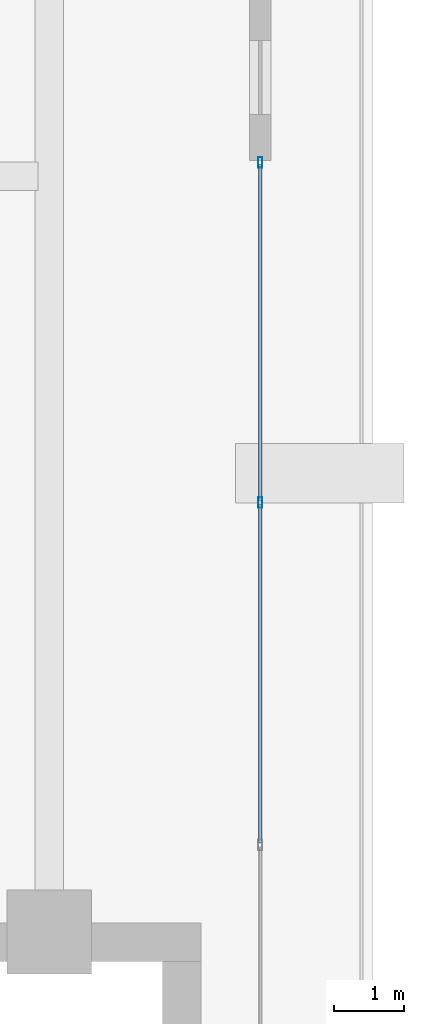
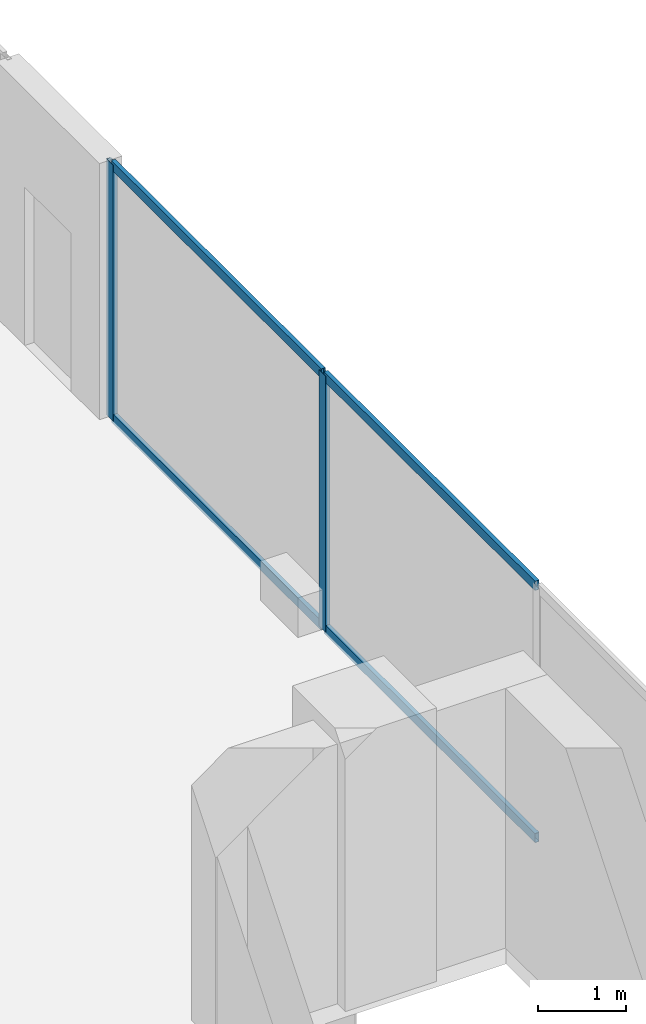
# One storey, part 13 of 26: 6 members, 1 element without a shape of its own.
"""IFC4 building model written with IfcOpenShell, lengths in metres."""

from ifc_helpers import new_model, si_unit, direction, frame, origin, origin_2d, place, context, subcontext, project, spatial, hollow_rectangle, extrude, material, layer, layer_set, material_profile, profile_set, type_object, element, aggregate, save


model = new_model("IFC4")

# Units and contexts
model_context = context("Model", 3, precision=1e-05, world=origin(), true_north=direction((0.0, 1.0)))
body_context = subcontext(model_context, "Body", "Model", "MODEL_VIEW")
ifc_project = project(units=[si_unit("LENGTHUNIT", "METRE"), si_unit("AREAUNIT", "SQUARE_METRE"), si_unit("VOLUMEUNIT", "CUBIC_METRE"), si_unit("PLANEANGLEUNIT", "RADIAN"), si_unit("MASSUNIT", "GRAM", prefix="KILO")], contexts=[model_context])

# Site, building, storey
site_placement = place(None, origin())
site = spatial("IfcSite", under=ifc_project, at=site_placement, CompositionType="ELEMENT")
building_placement = place(site_placement, origin())
building = spatial("IfcBuilding", under=site, at=building_placement, Name="Zuhayl Quay Hotel", CompositionType="ELEMENT")
storey_placement = place(building_placement, frame((0.0, 0.0, 301.050048828125)))
storey = spatial("IfcBuildingStorey", under=building, at=storey_placement, Name="Crown 2", CompositionType="ELEMENT", Elevation=301.050048828125)

# Curtain wall, members
ifc_material_1 = material(Name="Anodised Aluminium 6063-T6", Category="aluminium")
ifc_layer = layer(ifc_material_1, 0.159912109375, Name="Anodised Aluminium 6063-T6", Category="aluminium")
ifc_layer_set = layer_set([ifc_layer], Name="Anodised Aluminium 6063-T6")
curtain_wall_type = type_object("IfcCurtainWallType", Name="CW_SYS_CRN", PredefinedType="USERDEFINED", material=ifc_layer_set)
curtain_wall_placement = place(storey_placement, origin())
curtain_wall = element("IfcCurtainWall", 1, at=curtain_wall_placement, inside=storey, type_object=curtain_wall_type, Name="Crown 2 Curtain Wall ENV_CR2_E5_CW2", ObjectType="UNITISED CURTAIN WALL", PredefinedType="USERDEFINED")
ifc_material_2 = material(Name="Black-anodised aluminium 6063-T6", Category="aluminium")
ifc_material_profile_1 = material_profile(ifc_material_2, hollow_rectangle(XDim=0.06005859375, YDim=0.14990234375, WallThickness=0.00341796875, at=origin_2d()), Name="ALU150X60")
ifc_profile_set_1 = profile_set([ifc_material_profile_1], Name="Black-anodised aluminium 6063-T6")
member_type_1 = type_object("IfcMemberType", Name="MB_CW_MUL_150", PredefinedType="MULLION", material=ifc_profile_set_1)
member_1_placement = place(storey_placement, frame((16.800048828125, 25.294921875, 0.0), z_axis=(0.0, 0.0, 1.0), x_axis=(1.0, 0.0, 0.0)))
member_1 = element("IfcMember", 2, at=member_1_placement, type_object=member_type_1, Name="CW-CRN mullion 1", PredefinedType="MULLION", context=body_context, shape_type="SweptSolid", body=[
    extrude(hollow_rectangle(XDim=0.06005859375, YDim=0.14990234375, WallThickness=0.00341796875, at=origin_2d()), origin(), (0.0, 0.0, 1.0), 3.56005859375),
])
member_2_placement = place(storey_placement, frame((16.800048828125, 20.456298828125, 0.0), z_axis=(0.0, 0.0, 1.0), x_axis=(1.0, 0.0, 0.0)))
member_2 = element("IfcMember", 3, at=member_2_placement, type_object=member_type_1, Name="CW-CRN mullion 2", PredefinedType="MULLION", context=body_context, shape_type="SweptSolid", body=[
    extrude(hollow_rectangle(XDim=0.06005859375, YDim=0.14990234375, WallThickness=0.00341796875, at=origin_2d()), origin(), (0.0, 0.0, 1.0), 3.56005859375),
])
ifc_material_profile_2 = material_profile(ifc_material_2, hollow_rectangle(XDim=0.054931640625, YDim=0.1298828125, WallThickness=0.0029296875, at=origin_2d()), Name="ALU130X55")
ifc_profile_set_2 = profile_set([ifc_material_profile_2], Name="Black-anodised aluminium 6063-T6")
member_type_2 = type_object("IfcMemberType", Name="MB_CW_TRN_130", PredefinedType="USERDEFINED", material=ifc_profile_set_2)
member_3_placement = place(storey_placement, frame((16.800048828125, 25.264892578125, 0.02734375), z_axis=(0.0, -1.0, 0.0), x_axis=(1.0, 0.0, 0.0)))
member_3 = element("IfcMember", 4, at=member_3_placement, type_object=member_type_2, Name="CW-CRN transom 1.1", ObjectType="TRANSOM", PredefinedType="USERDEFINED", context=body_context, shape_type="SweptSolid", body=[
    extrude(hollow_rectangle(XDim=0.054931640625, YDim=0.1298828125, WallThickness=0.0029296875, at=origin_2d()), origin(), (0.0, 0.0, 1.0), 4.778564453125),
])
member_4_placement = place(storey_placement, frame((16.800048828125, 25.264892578125, 3.532470703125), z_axis=(0.0, -1.0, 0.0), x_axis=(1.0, 0.0, 0.0)))
member_4 = element("IfcMember", 5, at=member_4_placement, type_object=member_type_2, Name="CW-CRN transom 1.2", ObjectType="TRANSOM", PredefinedType="USERDEFINED", context=body_context, shape_type="SweptSolid", body=[
    extrude(hollow_rectangle(XDim=0.054931640625, YDim=0.1298828125, WallThickness=0.0029296875, at=origin_2d()), origin(), (0.0, 0.0, 1.0), 4.778564453125),
])
member_5_placement = place(storey_placement, frame((16.800048828125, 20.42626953125, 0.02734375), z_axis=(0.0, -1.0, 0.0), x_axis=(1.0, 0.0, 0.0)))
member_5 = element("IfcMember", 6, at=member_5_placement, type_object=member_type_2, Name="CW-CRN transom 2.1", ObjectType="TRANSOM", PredefinedType="USERDEFINED", context=body_context, shape_type="SweptSolid", body=[
    extrude(hollow_rectangle(XDim=0.054931640625, YDim=0.1298828125, WallThickness=0.0029296875, at=origin_2d()), origin(), (0.0, 0.0, 1.0), 4.808837890625),
])
member_6_placement = place(storey_placement, frame((16.800048828125, 20.42626953125, 3.532470703125), z_axis=(0.0, -1.0, 0.0), x_axis=(1.0, 0.0, 0.0)))
member_6 = element("IfcMember", 7, at=member_6_placement, type_object=member_type_2, Name="CW-CRN transom 2.2", ObjectType="TRANSOM", PredefinedType="USERDEFINED", context=body_context, shape_type="SweptSolid", body=[
    extrude(hollow_rectangle(XDim=0.054931640625, YDim=0.1298828125, WallThickness=0.0029296875, at=origin_2d()), origin(), (0.0, 0.0, 1.0), 4.808837890625),
])
aggregate(curtain_wall, [member_1, member_2, member_3, member_4, member_5, member_6])

save(model, "model.ifc")
